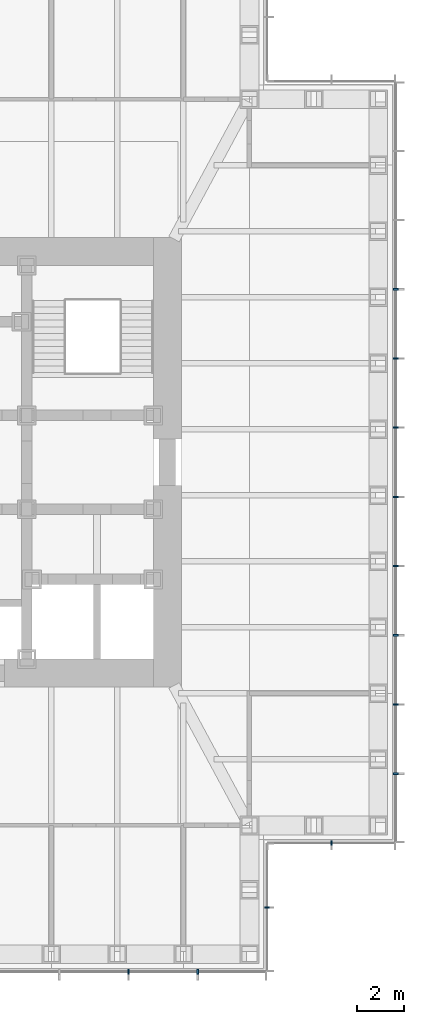
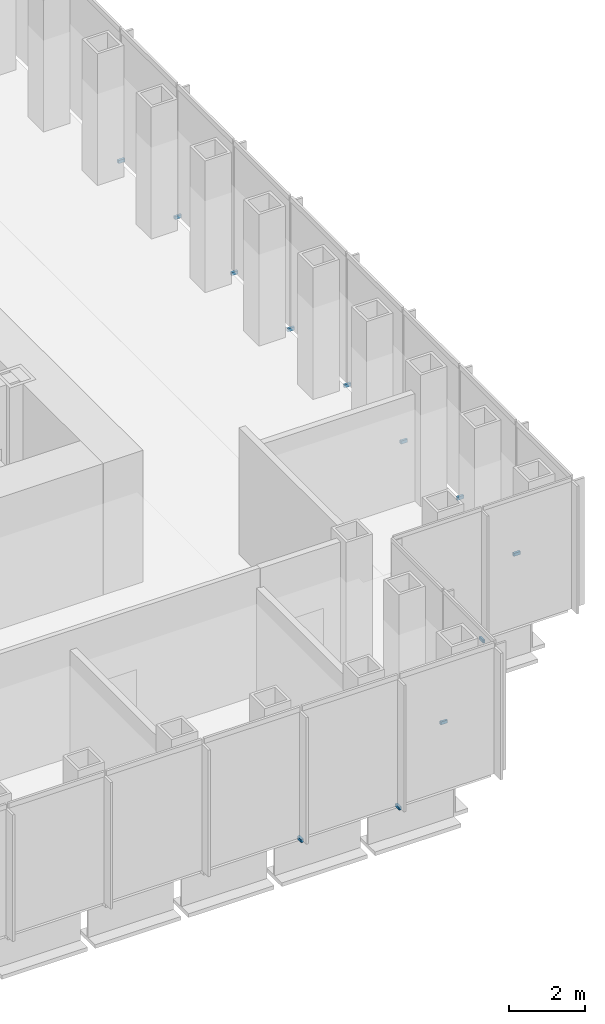
# One storey, part 14 of 17: 12 discrete accessories.
"""IFC4 building model written with IfcOpenShell, lengths in metres."""

from ifc_helpers import new_model, si_unit, direction, frame, origin, origin_2d, place, context, subcontext, project, spatial, rectangle, extrude, element, save


model = new_model("IFC4")

# Units and contexts
model_context = context("Model", 3, precision=1e-05, world=origin(), true_north=direction((0.0, 1.0)))
body_context = subcontext(model_context, "Body", "Model", "MODEL_VIEW")
ifc_project = project(units=[si_unit("LENGTHUNIT", "METRE"), si_unit("AREAUNIT", "SQUARE_METRE"), si_unit("VOLUMEUNIT", "CUBIC_METRE"), si_unit("PLANEANGLEUNIT", "RADIAN"), si_unit("MASSUNIT", "GRAM", prefix="KILO")], contexts=[model_context])

# Site, building, storey
site_placement = place(None, origin())
site = spatial("IfcSite", under=ifc_project, at=site_placement, CompositionType="ELEMENT")
building_placement = place(site_placement, origin())
building = spatial("IfcBuilding", under=site, at=building_placement, Name="Daluyong Arena Tower", CompositionType="ELEMENT")
storey_placement = place(building_placement, frame((0.0, 0.0, 223.300048828125)))
storey = spatial("IfcBuildingStorey", under=building, at=storey_placement, Name="L50", CompositionType="ELEMENT", Elevation=223.300048828125)

# Discrete accessories
for number, where, z_axis, x_axis, name in (
    (1, (66.3408203125, 58.25, -0.10009765625), (0.0, 0.0, 1.0), (1.0, 0.0, 0.0), "curtain wall L50 S anchor bracket 10"),
    (2, (69.29541015625, 58.25, -0.10009765625), (0.0, 0.0, 1.0), (1.0, 0.0, 0.0), "curtain wall L50 S anchor bracket 11"),
):
    element("IfcDiscreteAccessory", number, at=place(storey_placement, frame(where, z_axis=z_axis, x_axis=x_axis)), inside=storey, Name=name, PredefinedType="BRACKET", context=body_context, shape_type="SweptSolid", body=[
        extrude(rectangle(XDim=0.070068359375, YDim=0.199951171875, at=origin_2d()), origin(), (0.0, 0.0, 1.0), 0.10009765625),
    ])
for number, where, z_axis, x_axis, name in (
    (3, (72.25, 61.0, -0.10009765625), (0.0, 0.0, 1.0), (0.0, 1.0, 0.0), "curtain wall L50 SE-E anchor bracket 2"),
    (4, (75.0, 63.75, -0.10009765625), (0.0, 0.0, 1.0), (1.0, 0.0, 0.0), "curtain wall L50 SE-S anchor bracket 2"),
):
    element("IfcDiscreteAccessory", number, at=place(storey_placement, frame(where, z_axis=z_axis, x_axis=x_axis)), inside=storey, Name=name, PredefinedType="BRACKET", context=body_context, shape_type="SweptSolid", body=[
        extrude(rectangle(XDim=0.06005859375, YDim=0.199951171875, at=origin_2d()), origin(), (0.0, 0.0, 1.0), 0.10009765625),
    ])
for number, where, z_axis, x_axis, name in (
    (5, (77.75, 66.70458984375, -0.10009765625), (0.0, 0.0, 1.0), (0.0, 1.0, 0.0), "curtain wall L50 E anchor bracket 2"),
    (6, (77.75, 69.6591796875, -0.10009765625), (0.0, 0.0, 1.0), (0.0, 1.0, 0.0), "curtain wall L50 E anchor bracket 3"),
    (7, (77.75, 72.613525390625, -0.10009765625), (0.0, 0.0, 1.0), (0.0, 1.0, 0.0), "curtain wall L50 E anchor bracket 4"),
    (8, (77.75, 75.568115234375, -0.10009765625), (0.0, 0.0, 1.0), (0.0, 1.0, 0.0), "curtain wall L50 E anchor bracket 5"),
    (9, (77.75, 78.522705078125, -0.10009765625), (0.0, 0.0, 1.0), (0.0, 1.0, 0.0), "curtain wall L50 E anchor bracket 6"),
    (10, (77.75, 81.477294921875, -0.10009765625), (0.0, 0.0, 1.0), (0.0, 1.0, 0.0), "curtain wall L50 E anchor bracket 7"),
    (11, (77.75, 84.431884765625, -0.10009765625), (0.0, 0.0, 1.0), (0.0, 1.0, 0.0), "curtain wall L50 E anchor bracket 8"),
    (12, (77.75, 87.386474609375, -0.10009765625), (0.0, 0.0, 1.0), (0.0, 1.0, 0.0), "curtain wall L50 E anchor bracket 9"),
):
    element("IfcDiscreteAccessory", number, at=place(storey_placement, frame(where, z_axis=z_axis, x_axis=x_axis)), inside=storey, Name=name, PredefinedType="BRACKET", context=body_context, shape_type="SweptSolid", body=[
        extrude(rectangle(XDim=0.070068359375, YDim=0.199951171875, at=origin_2d()), origin(), (0.0, 0.0, 1.0), 0.10009765625),
    ])

save(model, "model.ifc")
